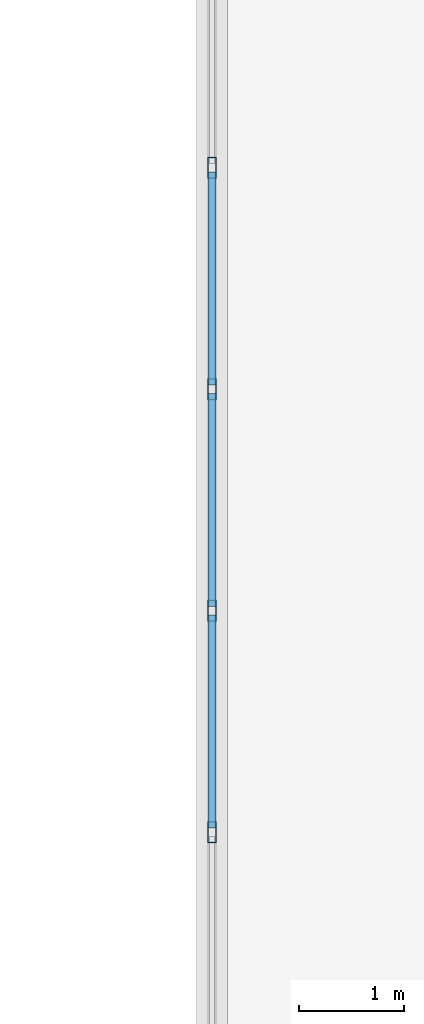
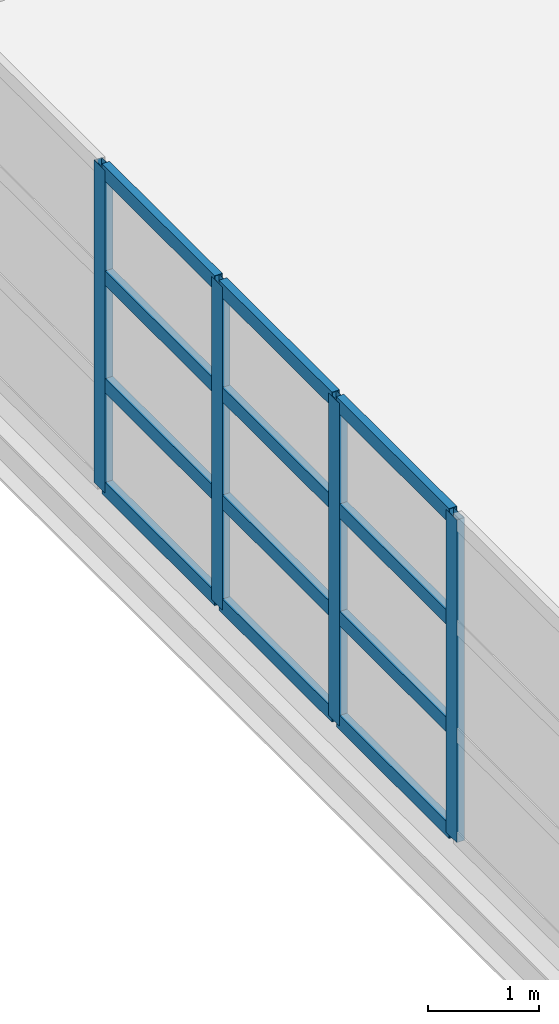
# One storey, part 25 of 158: 16 members, 1 element without a shape of its own.
"""IFC4 building model written with IfcOpenShell, lengths in metres."""

from ifc_helpers import new_model, si_unit, direction, frame, origin, origin_2d, place, context, subcontext, project, spatial, hollow_rectangle, extrude, material, layer, layer_set, material_profile, profile_set, type_object, element, aggregate, save


model = new_model("IFC4")

# Units and contexts
model_context = context("Model", 3, precision=1e-05, world=origin(), true_north=direction((0.0, 1.0)))
body_context = subcontext(model_context, "Body", "Model", "MODEL_VIEW")
ifc_project = project(units=[si_unit("LENGTHUNIT", "METRE"), si_unit("AREAUNIT", "SQUARE_METRE"), si_unit("VOLUMEUNIT", "CUBIC_METRE"), si_unit("PLANEANGLEUNIT", "RADIAN"), si_unit("MASSUNIT", "GRAM", prefix="KILO")], contexts=[model_context])

# Site, building, storey
site_placement = place(None, origin())
site = spatial("IfcSite", under=ifc_project, at=site_placement, CompositionType="ELEMENT")
building_placement = place(site_placement, origin())
building = spatial("IfcBuilding", under=site, at=building_placement, Name="Zilviju Railside Exhibition Hall", CompositionType="ELEMENT")
storey_placement = place(building_placement, frame((0.0, 0.0, 4.199951171875)))
storey = spatial("IfcBuildingStorey", under=building, at=storey_placement, Name="L02", CompositionType="ELEMENT", Elevation=4.199951171875)

# Curtain wall, members
ifc_material_1 = material(Name="Thermally broken aluminium-steel triple-glazed curtain wall", Category="steel")
ifc_layer = layer(ifc_material_1, 0.179931640625)
ifc_layer_set = layer_set([ifc_layer], Name="Thermally broken aluminium-steel triple-glazed curtain wall")
curtain_wall_type = type_object("IfcCurtainWallType", Name="CW-BAY-14", PredefinedType="USERDEFINED", material=ifc_layer_set)
curtain_wall_placement = place(storey_placement, origin())
curtain_wall = element("IfcCurtainWall", 1, at=curtain_wall_placement, inside=storey, type_object=curtain_wall_type, Name="Winter Concourse Forecourt Curtain Wall L02", ObjectType="GLAZED CURTAIN WALL", PredefinedType="USERDEFINED")
ifc_material_2 = material(Name="Thermally broken anodized aluminium mullion", Category="aluminium")
ifc_material_profile_1 = material_profile(ifc_material_2, hollow_rectangle(XDim=0.080078125, YDim=0.199951171875, WallThickness=0.0048828125, at=origin_2d()), Name="MULLION 200x80x5")
ifc_profile_set_1 = profile_set([ifc_material_profile_1], Name="Thermally broken anodized aluminium mullion")
member_type_1 = type_object("IfcMemberType", Name="CWM-80x200", PredefinedType="MULLION", material=ifc_profile_set_1)
member_1_placement = place(storey_placement, frame((48.0, 9.0, 0.0), z_axis=(0.0, 0.0, 1.0), x_axis=(-1.0, 0.0, 0.0)))
member_1 = element("IfcMember", 2, at=member_1_placement, type_object=member_type_1, Name="CW-14 mullion 5", PredefinedType="MULLION", context=body_context, shape_type="SweptSolid", body=[
    extrude(hollow_rectangle(XDim=0.080078125, YDim=0.199951171875, WallThickness=0.0048828125, at=origin_2d()), origin(), (0.0, 0.0, 1.0), 3.550048828125),
])
member_2_placement = place(storey_placement, frame((48.0, 11.112548828125, 0.0), z_axis=(0.0, 0.0, 1.0), x_axis=(-1.0, 0.0, 0.0)))
member_2 = element("IfcMember", 3, at=member_2_placement, type_object=member_type_1, Name="CW-14 mullion 6", PredefinedType="MULLION", context=body_context, shape_type="SweptSolid", body=[
    extrude(hollow_rectangle(XDim=0.080078125, YDim=0.199951171875, WallThickness=0.0048828125, at=origin_2d()), origin(), (0.0, 0.0, 1.0), 3.550048828125),
])
member_3_placement = place(storey_placement, frame((48.0, 13.22509765625, 0.0), z_axis=(0.0, 0.0, 1.0), x_axis=(-1.0, 0.0, 0.0)))
member_3 = element("IfcMember", 4, at=member_3_placement, type_object=member_type_1, Name="CW-14 mullion 7", PredefinedType="MULLION", context=body_context, shape_type="SweptSolid", body=[
    extrude(hollow_rectangle(XDim=0.080078125, YDim=0.199951171875, WallThickness=0.0048828125, at=origin_2d()), origin(), (0.0, 0.0, 1.0), 3.550048828125),
])
member_4_placement = place(storey_placement, frame((48.0, 15.33740234375, 0.0), z_axis=(0.0, 0.0, 1.0), x_axis=(-1.0, 0.0, 0.0)))
member_4 = element("IfcMember", 5, at=member_4_placement, type_object=member_type_1, Name="CW-14 mullion 8", PredefinedType="MULLION", context=body_context, shape_type="SweptSolid", body=[
    extrude(hollow_rectangle(XDim=0.080078125, YDim=0.199951171875, WallThickness=0.0048828125, at=origin_2d()), origin(), (0.0, 0.0, 1.0), 3.550048828125),
])
ifc_material_3 = material(Name="Thermally broken anodized aluminium transom", Category="aluminium")
ifc_material_profile_2 = material_profile(ifc_material_3, hollow_rectangle(XDim=0.080078125, YDim=0.159912109375, WallThickness=0.0048828125, at=origin_2d()), Name="TRANSOM 160x80x5")
ifc_profile_set_2 = profile_set([ifc_material_profile_2], Name="Thermally broken anodized aluminium transom")
member_type_2 = type_object("IfcMemberType", Name="CWT-80x160", PredefinedType="USERDEFINED", material=ifc_profile_set_2)
member_5_placement = place(storey_placement, frame((48.0, 9.0400390625, 0.0400390625), z_axis=(0.0, 1.0, 0.0), x_axis=(-1.0, 0.0, 0.0)))
member_5 = element("IfcMember", 6, at=member_5_placement, type_object=member_type_2, Name="CW-14 transom 5.1", ObjectType="TRANSOM", PredefinedType="USERDEFINED", context=body_context, shape_type="SweptSolid", body=[
    extrude(hollow_rectangle(XDim=0.080078125, YDim=0.159912109375, WallThickness=0.0048828125, at=origin_2d()), origin(), (0.0, 0.0, 1.0), 2.032470703125),
])
member_6_placement = place(storey_placement, frame((48.0, 9.0400390625, 1.18310546875), z_axis=(0.0, 1.0, 0.0), x_axis=(-1.0, 0.0, 0.0)))
member_6 = element("IfcMember", 7, at=member_6_placement, type_object=member_type_2, Name="CW-14 transom 5.2", ObjectType="TRANSOM", PredefinedType="USERDEFINED", context=body_context, shape_type="SweptSolid", body=[
    extrude(hollow_rectangle(XDim=0.080078125, YDim=0.159912109375, WallThickness=0.0048828125, at=origin_2d()), origin(), (0.0, 0.0, 1.0), 2.032470703125),
])
member_7_placement = place(storey_placement, frame((48.0, 9.0400390625, 2.366943359375), z_axis=(0.0, 1.0, 0.0), x_axis=(-1.0, 0.0, 0.0)))
member_7 = element("IfcMember", 8, at=member_7_placement, type_object=member_type_2, Name="CW-14 transom 5.3", ObjectType="TRANSOM", PredefinedType="USERDEFINED", context=body_context, shape_type="SweptSolid", body=[
    extrude(hollow_rectangle(XDim=0.080078125, YDim=0.159912109375, WallThickness=0.0048828125, at=origin_2d()), origin(), (0.0, 0.0, 1.0), 2.032470703125),
])
member_8_placement = place(storey_placement, frame((48.0, 9.0400390625, 3.510009765625), z_axis=(0.0, 1.0, 0.0), x_axis=(-1.0, 0.0, 0.0)))
member_8 = element("IfcMember", 9, at=member_8_placement, type_object=member_type_2, Name="CW-14 transom 5.4", ObjectType="TRANSOM", PredefinedType="USERDEFINED", context=body_context, shape_type="SweptSolid", body=[
    extrude(hollow_rectangle(XDim=0.080078125, YDim=0.159912109375, WallThickness=0.0048828125, at=origin_2d()), origin(), (0.0, 0.0, 1.0), 2.032470703125),
])
member_9_placement = place(storey_placement, frame((48.0, 11.152587890625, 0.0400390625), z_axis=(0.0, 1.0, 0.0), x_axis=(-1.0, 0.0, 0.0)))
member_9 = element("IfcMember", 10, at=member_9_placement, type_object=member_type_2, Name="CW-14 transom 6.1", ObjectType="TRANSOM", PredefinedType="USERDEFINED", context=body_context, shape_type="SweptSolid", body=[
    extrude(hollow_rectangle(XDim=0.080078125, YDim=0.159912109375, WallThickness=0.0048828125, at=origin_2d()), origin(), (0.0, 0.0, 1.0), 2.032470703125),
])
member_10_placement = place(storey_placement, frame((48.0, 11.152587890625, 1.18310546875), z_axis=(0.0, 1.0, 0.0), x_axis=(-1.0, 0.0, 0.0)))
member_10 = element("IfcMember", 11, at=member_10_placement, type_object=member_type_2, Name="CW-14 transom 6.2", ObjectType="TRANSOM", PredefinedType="USERDEFINED", context=body_context, shape_type="SweptSolid", body=[
    extrude(hollow_rectangle(XDim=0.080078125, YDim=0.159912109375, WallThickness=0.0048828125, at=origin_2d()), origin(), (0.0, 0.0, 1.0), 2.032470703125),
])
member_11_placement = place(storey_placement, frame((48.0, 11.152587890625, 2.366943359375), z_axis=(0.0, 1.0, 0.0), x_axis=(-1.0, 0.0, 0.0)))
member_11 = element("IfcMember", 12, at=member_11_placement, type_object=member_type_2, Name="CW-14 transom 6.3", ObjectType="TRANSOM", PredefinedType="USERDEFINED", context=body_context, shape_type="SweptSolid", body=[
    extrude(hollow_rectangle(XDim=0.080078125, YDim=0.159912109375, WallThickness=0.0048828125, at=origin_2d()), origin(), (0.0, 0.0, 1.0), 2.032470703125),
])
member_12_placement = place(storey_placement, frame((48.0, 11.152587890625, 3.510009765625), z_axis=(0.0, 1.0, 0.0), x_axis=(-1.0, 0.0, 0.0)))
member_12 = element("IfcMember", 13, at=member_12_placement, type_object=member_type_2, Name="CW-14 transom 6.4", ObjectType="TRANSOM", PredefinedType="USERDEFINED", context=body_context, shape_type="SweptSolid", body=[
    extrude(hollow_rectangle(XDim=0.080078125, YDim=0.159912109375, WallThickness=0.0048828125, at=origin_2d()), origin(), (0.0, 0.0, 1.0), 2.032470703125),
])
member_13_placement = place(storey_placement, frame((48.0, 13.264892578125, 0.0400390625), z_axis=(0.0, 1.0, 0.0), x_axis=(-1.0, 0.0, 0.0)))
member_13 = element("IfcMember", 14, at=member_13_placement, type_object=member_type_2, Name="CW-14 transom 7.1", ObjectType="TRANSOM", PredefinedType="USERDEFINED", context=body_context, shape_type="SweptSolid", body=[
    extrude(hollow_rectangle(XDim=0.080078125, YDim=0.159912109375, WallThickness=0.0048828125, at=origin_2d()), origin(), (0.0, 0.0, 1.0), 2.03271484375),
])
member_14_placement = place(storey_placement, frame((48.0, 13.264892578125, 1.18310546875), z_axis=(0.0, 1.0, 0.0), x_axis=(-1.0, 0.0, 0.0)))
member_14 = element("IfcMember", 15, at=member_14_placement, type_object=member_type_2, Name="CW-14 transom 7.2", ObjectType="TRANSOM", PredefinedType="USERDEFINED", context=body_context, shape_type="SweptSolid", body=[
    extrude(hollow_rectangle(XDim=0.080078125, YDim=0.159912109375, WallThickness=0.0048828125, at=origin_2d()), origin(), (0.0, 0.0, 1.0), 2.03271484375),
])
member_15_placement = place(storey_placement, frame((48.0, 13.264892578125, 2.366943359375), z_axis=(0.0, 1.0, 0.0), x_axis=(-1.0, 0.0, 0.0)))
member_15 = element("IfcMember", 16, at=member_15_placement, type_object=member_type_2, Name="CW-14 transom 7.3", ObjectType="TRANSOM", PredefinedType="USERDEFINED", context=body_context, shape_type="SweptSolid", body=[
    extrude(hollow_rectangle(XDim=0.080078125, YDim=0.159912109375, WallThickness=0.0048828125, at=origin_2d()), origin(), (0.0, 0.0, 1.0), 2.03271484375),
])
member_16_placement = place(storey_placement, frame((48.0, 13.264892578125, 3.510009765625), z_axis=(0.0, 1.0, 0.0), x_axis=(-1.0, 0.0, 0.0)))
member_16 = element("IfcMember", 17, at=member_16_placement, type_object=member_type_2, Name="CW-14 transom 7.4", ObjectType="TRANSOM", PredefinedType="USERDEFINED", context=body_context, shape_type="SweptSolid", body=[
    extrude(hollow_rectangle(XDim=0.080078125, YDim=0.159912109375, WallThickness=0.0048828125, at=origin_2d()), origin(), (0.0, 0.0, 1.0), 2.03271484375),
])
aggregate(curtain_wall, [member_1, member_2, member_3, member_4, member_5, member_6, member_7, member_8, member_9, member_10, member_11, member_12, member_13, member_14, member_15, member_16])

save(model, "model.ifc")
